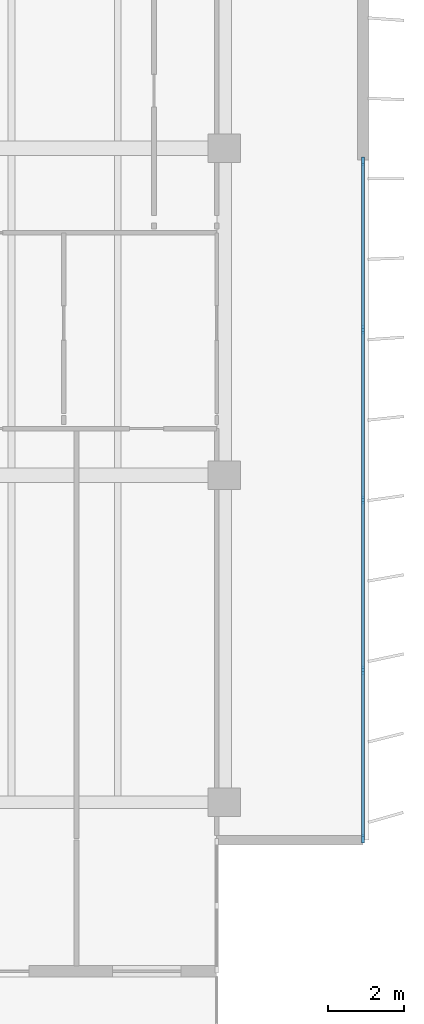
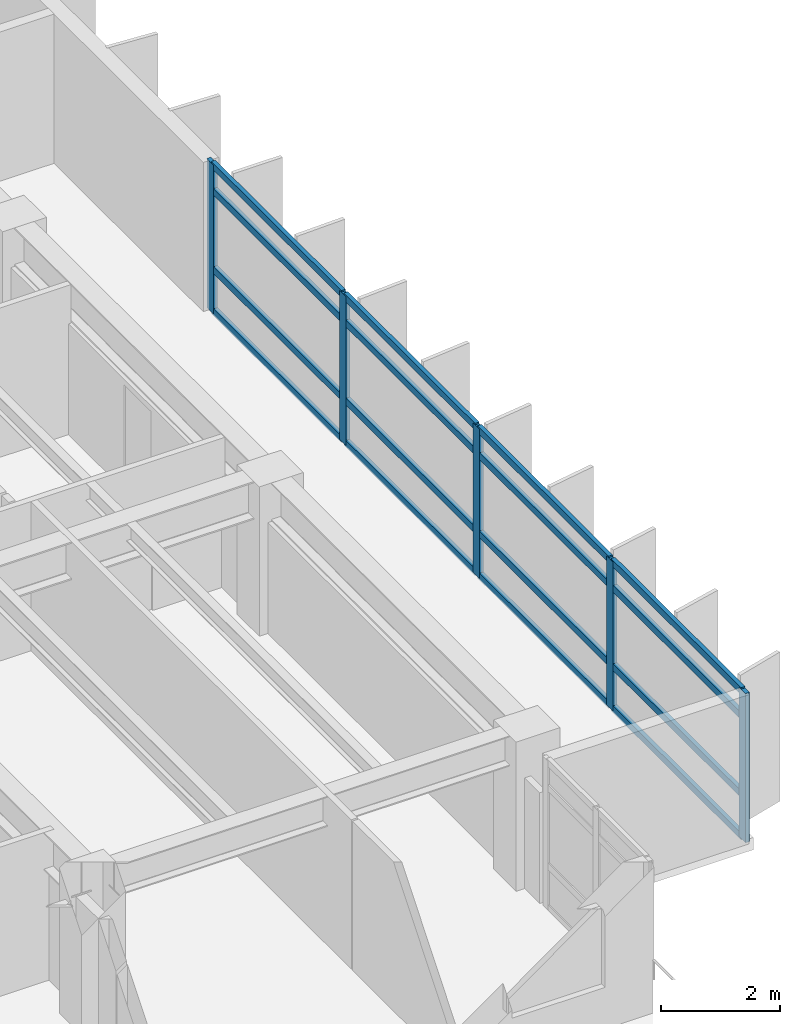
# One storey, part 6 of 19: 21 members, 1 element without a shape of its own.
"""IFC4 building model written with IfcOpenShell, lengths in metres."""

from ifc_helpers import new_model, si_unit, direction, frame, origin, origin_2d, place, context, subcontext, project, spatial, rectangle, extrude, material, layer, layer_set, material_profile, profile_set, type_object, element, aggregate, save


model = new_model("IFC4")

# Units and contexts
model_context = context("Model", 3, precision=1e-05, world=origin(), true_north=direction((0.0, 1.0)))
body_context = subcontext(model_context, "Body", "Model", "MODEL_VIEW")
ifc_project = project(units=[si_unit("LENGTHUNIT", "METRE"), si_unit("AREAUNIT", "SQUARE_METRE"), si_unit("VOLUMEUNIT", "CUBIC_METRE"), si_unit("PLANEANGLEUNIT", "RADIAN"), si_unit("MASSUNIT", "GRAM", prefix="KILO")], contexts=[model_context])

# Site, building, storey
site_placement = place(None, origin())
site = spatial("IfcSite", under=ifc_project, at=site_placement, CompositionType="ELEMENT")
building_placement = place(site_placement, origin())
building = spatial("IfcBuilding", under=site, at=building_placement, Name="Caelmar Bay Residences", CompositionType="ELEMENT")
storey_placement = place(building_placement, frame((0.0, 0.0, 160.5)))
storey = spatial("IfcBuildingStorey", under=building, at=storey_placement, Name="L44", CompositionType="ELEMENT", Elevation=160.5)

# Curtain wall, members
ifc_material_1 = material(Name="Anodised bronze aluminium 6063-T6 and laminated glass", Category="aluminium")
ifc_layer = layer(ifc_material_1, 0.179931640625)
ifc_layer_set = layer_set([ifc_layer], Name="Anodised bronze aluminium 6063-T6 and laminated glass")
curtain_wall_type = type_object("IfcCurtainWallType", Name="CW4-Z3", PredefinedType="NOTDEFINED", material=ifc_layer_set)
curtain_wall_placement = place(storey_placement, origin())
curtain_wall = element("IfcCurtainWall", 1, at=curtain_wall_placement, inside=storey, type_object=curtain_wall_type, Name="CW4 curtain wall L44", PredefinedType="NOTDEFINED")
ifc_material_2 = material(Name="Anodised bronze aluminium 6063-T6", Category="aluminium")
ifc_material_profile_1 = material_profile(ifc_material_2, rectangle(XDim=0.080078125, YDim=0.219970703125, at=origin_2d()), Name="CWM-80X220")
ifc_profile_set_1 = profile_set([ifc_material_profile_1], Name="Anodised bronze aluminium 6063-T6")
member_type_1 = type_object("IfcMemberType", Name="CWM-220", PredefinedType="MULLION", material=ifc_profile_set_1)
member_1_placement = place(storey_placement, frame((71.550048828125, 29.06005859375, 0.0), z_axis=(0.0, 0.0, 1.0), x_axis=(1.0, 0.0, 0.0)))
member_1 = element("IfcMember", 2, at=member_1_placement, type_object=member_type_1, Name="CW4 mullion 1", PredefinedType="MULLION", context=body_context, shape_type="SweptSolid", body=[
    extrude(rectangle(XDim=0.080078125, YDim=0.219970703125, at=origin_2d()), origin(), (0.0, 0.0, 1.0), 3.050048828125),
])
member_2_placement = place(storey_placement, frame((71.550048828125, 24.625, 0.0), z_axis=(0.0, 0.0, 1.0), x_axis=(1.0, 0.0, 0.0)))
member_2 = element("IfcMember", 3, at=member_2_placement, type_object=member_type_1, Name="CW4 mullion 2", PredefinedType="MULLION", context=body_context, shape_type="SweptSolid", body=[
    extrude(rectangle(XDim=0.080078125, YDim=0.219970703125, at=origin_2d()), origin(), (0.0, 0.0, 1.0), 3.050048828125),
])
member_3_placement = place(storey_placement, frame((71.550048828125, 20.14990234375, 0.0), z_axis=(0.0, 0.0, 1.0), x_axis=(1.0, 0.0, 0.0)))
member_3 = element("IfcMember", 4, at=member_3_placement, type_object=member_type_1, Name="CW4 mullion 3", PredefinedType="MULLION", context=body_context, shape_type="SweptSolid", body=[
    extrude(rectangle(XDim=0.080078125, YDim=0.219970703125, at=origin_2d()), origin(), (0.0, 0.0, 1.0), 3.050048828125),
])
member_4_placement = place(storey_placement, frame((71.550048828125, 15.675048828125, 0.0), z_axis=(0.0, 0.0, 1.0), x_axis=(1.0, 0.0, 0.0)))
member_4 = element("IfcMember", 5, at=member_4_placement, type_object=member_type_1, Name="CW4 mullion 4", PredefinedType="MULLION", context=body_context, shape_type="SweptSolid", body=[
    extrude(rectangle(XDim=0.080078125, YDim=0.219970703125, at=origin_2d()), origin(), (0.0, 0.0, 1.0), 3.050048828125),
])
member_5_placement = place(storey_placement, frame((71.550048828125, 11.239990234375, 0.0), z_axis=(0.0, 0.0, 1.0), x_axis=(1.0, 0.0, 0.0)))
member_5 = element("IfcMember", 6, at=member_5_placement, type_object=member_type_1, Name="CW4 mullion 5", PredefinedType="MULLION", context=body_context, shape_type="SweptSolid", body=[
    extrude(rectangle(XDim=0.080078125, YDim=0.219970703125, at=origin_2d()), origin(), (0.0, 0.0, 1.0), 3.050048828125),
])
ifc_material_profile_2 = material_profile(ifc_material_2, rectangle(XDim=0.080078125, YDim=0.139892578125, at=origin_2d()), Name="CWT-80X140")
ifc_profile_set_2 = profile_set([ifc_material_profile_2], Name="Anodised bronze aluminium 6063-T6")
member_type_2 = type_object("IfcMemberType", Name="CWT-140", PredefinedType="NOTDEFINED", material=ifc_profile_set_2)
member_6_placement = place(storey_placement, frame((71.550048828125, 29.02001953125, 0.0400390625), z_axis=(0.0, -1.0, 0.0), x_axis=(1.0, 0.0, 0.0)))
member_6 = element("IfcMember", 7, at=member_6_placement, type_object=member_type_2, Name="CW4 transom 1.1", ObjectType="TRANSOM", PredefinedType="USERDEFINED", context=body_context, shape_type="SweptSolid", body=[
    extrude(rectangle(XDim=0.080078125, YDim=0.139892578125, at=origin_2d()), origin(), (0.0, 0.0, 1.0), 4.35498046875),
])
member_7_placement = place(storey_placement, frame((71.550048828125, 29.02001953125, 0.89990234375), z_axis=(0.0, -1.0, 0.0), x_axis=(1.0, 0.0, 0.0)))
member_7 = element("IfcMember", 8, at=member_7_placement, type_object=member_type_2, Name="CW4 transom 1.2", ObjectType="TRANSOM", PredefinedType="USERDEFINED", context=body_context, shape_type="SweptSolid", body=[
    extrude(rectangle(XDim=0.080078125, YDim=0.139892578125, at=origin_2d()), origin(), (0.0, 0.0, 1.0), 4.35498046875),
])
member_8_placement = place(storey_placement, frame((71.550048828125, 29.02001953125, 2.5), z_axis=(0.0, -1.0, 0.0), x_axis=(1.0, 0.0, 0.0)))
member_8 = element("IfcMember", 9, at=member_8_placement, type_object=member_type_2, Name="CW4 transom 1.3", ObjectType="TRANSOM", PredefinedType="USERDEFINED", context=body_context, shape_type="SweptSolid", body=[
    extrude(rectangle(XDim=0.080078125, YDim=0.139892578125, at=origin_2d()), origin(), (0.0, 0.0, 1.0), 4.35498046875),
])
member_9_placement = place(storey_placement, frame((71.550048828125, 29.02001953125, 3.010009765625), z_axis=(0.0, -1.0, 0.0), x_axis=(1.0, 0.0, 0.0)))
member_9 = element("IfcMember", 10, at=member_9_placement, type_object=member_type_2, Name="CW4 transom 1.4", ObjectType="TRANSOM", PredefinedType="USERDEFINED", context=body_context, shape_type="SweptSolid", body=[
    extrude(rectangle(XDim=0.080078125, YDim=0.139892578125, at=origin_2d()), origin(), (0.0, 0.0, 1.0), 4.35498046875),
])
member_10_placement = place(storey_placement, frame((71.550048828125, 24.5849609375, 0.0400390625), z_axis=(0.0, -1.0, 0.0), x_axis=(1.0, 0.0, 0.0)))
member_10 = element("IfcMember", 11, at=member_10_placement, type_object=member_type_2, Name="CW4 transom 2.1", ObjectType="TRANSOM", PredefinedType="USERDEFINED", context=body_context, shape_type="SweptSolid", body=[
    extrude(rectangle(XDim=0.080078125, YDim=0.139892578125, at=origin_2d()), origin(), (0.0, 0.0, 1.0), 4.39501953125),
])
member_11_placement = place(storey_placement, frame((71.550048828125, 24.5849609375, 0.89990234375), z_axis=(0.0, -1.0, 0.0), x_axis=(1.0, 0.0, 0.0)))
member_11 = element("IfcMember", 12, at=member_11_placement, type_object=member_type_2, Name="CW4 transom 2.2", ObjectType="TRANSOM", PredefinedType="USERDEFINED", context=body_context, shape_type="SweptSolid", body=[
    extrude(rectangle(XDim=0.080078125, YDim=0.139892578125, at=origin_2d()), origin(), (0.0, 0.0, 1.0), 4.39501953125),
])
member_12_placement = place(storey_placement, frame((71.550048828125, 24.5849609375, 2.5), z_axis=(0.0, -1.0, 0.0), x_axis=(1.0, 0.0, 0.0)))
member_12 = element("IfcMember", 13, at=member_12_placement, type_object=member_type_2, Name="CW4 transom 2.3", ObjectType="TRANSOM", PredefinedType="USERDEFINED", context=body_context, shape_type="SweptSolid", body=[
    extrude(rectangle(XDim=0.080078125, YDim=0.139892578125, at=origin_2d()), origin(), (0.0, 0.0, 1.0), 4.39501953125),
])
member_13_placement = place(storey_placement, frame((71.550048828125, 24.5849609375, 3.010009765625), z_axis=(0.0, -1.0, 0.0), x_axis=(1.0, 0.0, 0.0)))
member_13 = element("IfcMember", 14, at=member_13_placement, type_object=member_type_2, Name="CW4 transom 2.4", ObjectType="TRANSOM", PredefinedType="USERDEFINED", context=body_context, shape_type="SweptSolid", body=[
    extrude(rectangle(XDim=0.080078125, YDim=0.139892578125, at=origin_2d()), origin(), (0.0, 0.0, 1.0), 4.39501953125),
])
member_14_placement = place(storey_placement, frame((71.550048828125, 20.110107421875, 0.0400390625), z_axis=(0.0, -1.0, 0.0), x_axis=(1.0, 0.0, 0.0)))
member_14 = element("IfcMember", 15, at=member_14_placement, type_object=member_type_2, Name="CW4 transom 3.1", ObjectType="TRANSOM", PredefinedType="USERDEFINED", context=body_context, shape_type="SweptSolid", body=[
    extrude(rectangle(XDim=0.080078125, YDim=0.139892578125, at=origin_2d()), origin(), (0.0, 0.0, 1.0), 4.39501953125),
])
member_15_placement = place(storey_placement, frame((71.550048828125, 20.110107421875, 0.89990234375), z_axis=(0.0, -1.0, 0.0), x_axis=(1.0, 0.0, 0.0)))
member_15 = element("IfcMember", 16, at=member_15_placement, type_object=member_type_2, Name="CW4 transom 3.2", ObjectType="TRANSOM", PredefinedType="USERDEFINED", context=body_context, shape_type="SweptSolid", body=[
    extrude(rectangle(XDim=0.080078125, YDim=0.139892578125, at=origin_2d()), origin(), (0.0, 0.0, 1.0), 4.39501953125),
])
member_16_placement = place(storey_placement, frame((71.550048828125, 20.110107421875, 2.5), z_axis=(0.0, -1.0, 0.0), x_axis=(1.0, 0.0, 0.0)))
member_16 = element("IfcMember", 17, at=member_16_placement, type_object=member_type_2, Name="CW4 transom 3.3", ObjectType="TRANSOM", PredefinedType="USERDEFINED", context=body_context, shape_type="SweptSolid", body=[
    extrude(rectangle(XDim=0.080078125, YDim=0.139892578125, at=origin_2d()), origin(), (0.0, 0.0, 1.0), 4.39501953125),
])
member_17_placement = place(storey_placement, frame((71.550048828125, 20.110107421875, 3.010009765625), z_axis=(0.0, -1.0, 0.0), x_axis=(1.0, 0.0, 0.0)))
member_17 = element("IfcMember", 18, at=member_17_placement, type_object=member_type_2, Name="CW4 transom 3.4", ObjectType="TRANSOM", PredefinedType="USERDEFINED", context=body_context, shape_type="SweptSolid", body=[
    extrude(rectangle(XDim=0.080078125, YDim=0.139892578125, at=origin_2d()), origin(), (0.0, 0.0, 1.0), 4.39501953125),
])
member_18_placement = place(storey_placement, frame((71.550048828125, 15.635009765625, 0.0400390625), z_axis=(0.0, -1.0, 0.0), x_axis=(1.0, 0.0, 0.0)))
member_18 = element("IfcMember", 19, at=member_18_placement, type_object=member_type_2, Name="CW4 transom 4.1", ObjectType="TRANSOM", PredefinedType="USERDEFINED", context=body_context, shape_type="SweptSolid", body=[
    extrude(rectangle(XDim=0.080078125, YDim=0.139892578125, at=origin_2d()), origin(), (0.0, 0.0, 1.0), 4.35498046875),
])
member_19_placement = place(storey_placement, frame((71.550048828125, 15.635009765625, 0.89990234375), z_axis=(0.0, -1.0, 0.0), x_axis=(1.0, 0.0, 0.0)))
member_19 = element("IfcMember", 20, at=member_19_placement, type_object=member_type_2, Name="CW4 transom 4.2", ObjectType="TRANSOM", PredefinedType="USERDEFINED", context=body_context, shape_type="SweptSolid", body=[
    extrude(rectangle(XDim=0.080078125, YDim=0.139892578125, at=origin_2d()), origin(), (0.0, 0.0, 1.0), 4.35498046875),
])
member_20_placement = place(storey_placement, frame((71.550048828125, 15.635009765625, 2.5), z_axis=(0.0, -1.0, 0.0), x_axis=(1.0, 0.0, 0.0)))
member_20 = element("IfcMember", 21, at=member_20_placement, type_object=member_type_2, Name="CW4 transom 4.3", ObjectType="TRANSOM", PredefinedType="USERDEFINED", context=body_context, shape_type="SweptSolid", body=[
    extrude(rectangle(XDim=0.080078125, YDim=0.139892578125, at=origin_2d()), origin(), (0.0, 0.0, 1.0), 4.35498046875),
])
member_21_placement = place(storey_placement, frame((71.550048828125, 15.635009765625, 3.010009765625), z_axis=(0.0, -1.0, 0.0), x_axis=(1.0, 0.0, 0.0)))
member_21 = element("IfcMember", 22, at=member_21_placement, type_object=member_type_2, Name="CW4 transom 4.4", ObjectType="TRANSOM", PredefinedType="USERDEFINED", context=body_context, shape_type="SweptSolid", body=[
    extrude(rectangle(XDim=0.080078125, YDim=0.139892578125, at=origin_2d()), origin(), (0.0, 0.0, 1.0), 4.35498046875),
])
aggregate(curtain_wall, [member_1, member_2, member_3, member_4, member_5, member_6, member_7, member_8, member_9, member_10, member_11, member_12, member_13, member_14, member_15, member_16, member_17, member_18, member_19, member_20, member_21])

save(model, "model.ifc")
